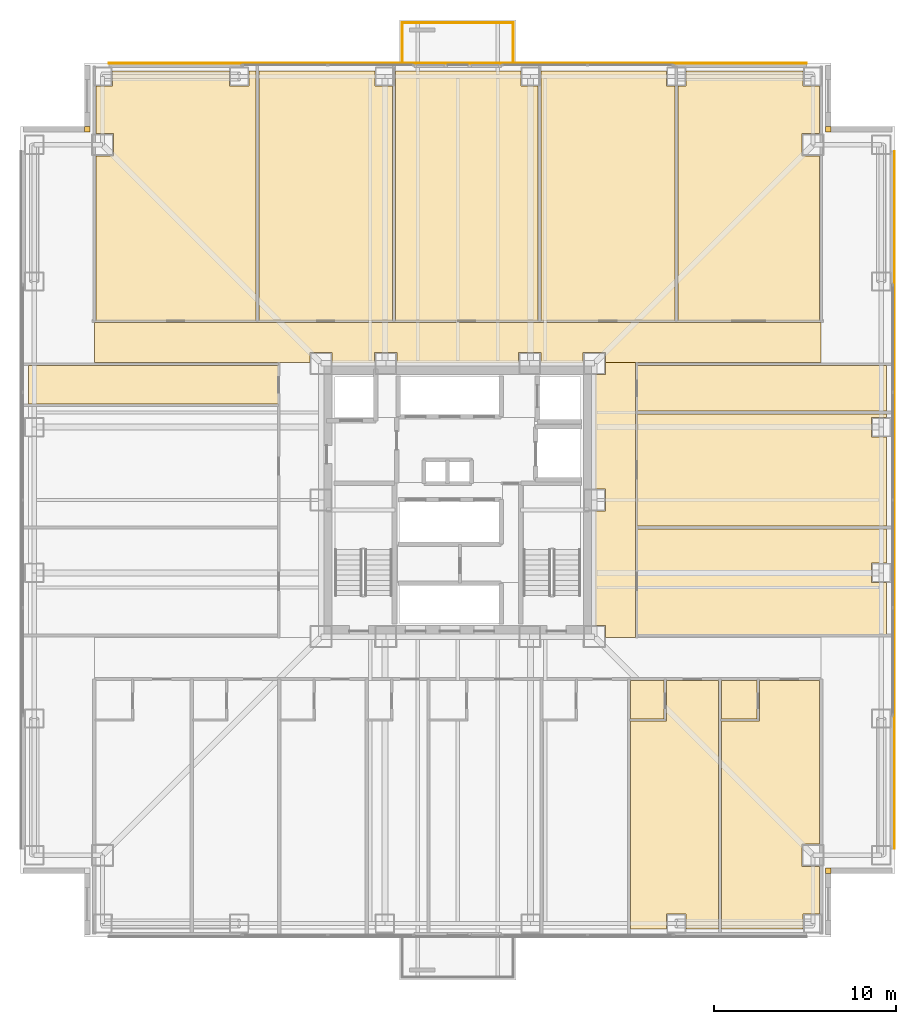
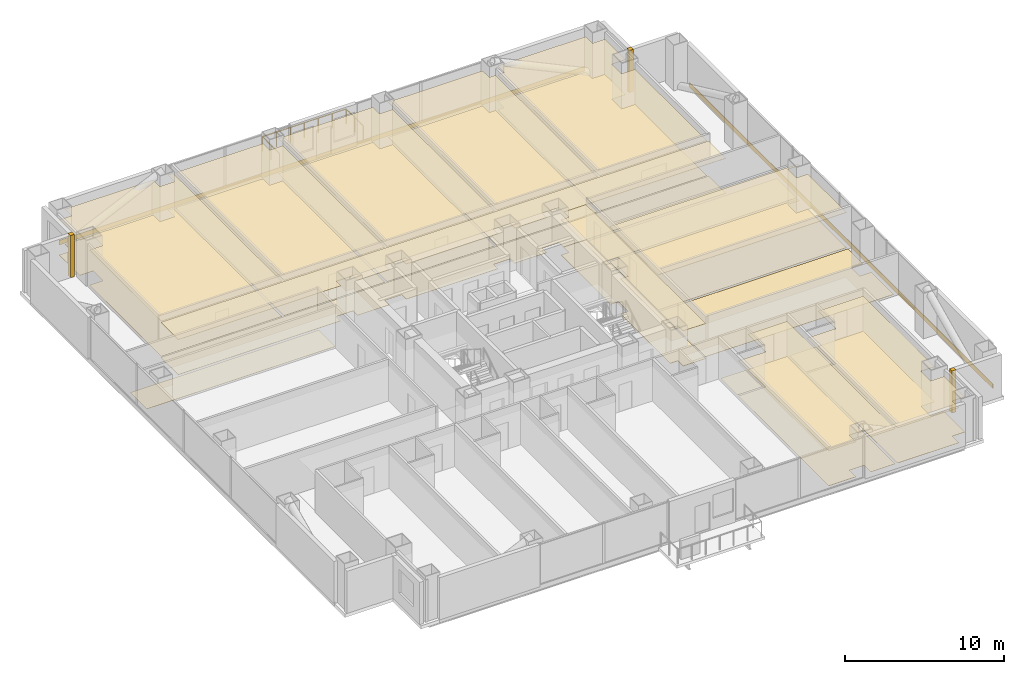
# One storey, part 16 of 16: 30 coverings, 3 railings.
"""IFC4 building model written with IfcOpenShell, lengths in metres."""

from ifc_helpers import new_model, si_unit, direction, frame, frame_2d, origin, origin_2d, place, context, subcontext, project, spatial, polyline, rectangle, circle, outline, extrude, material, layer, layer_set, type_object, element, save


model = new_model("IFC4")

# Units and contexts
model_context = context("Model", 3, precision=1e-05, world=origin(), true_north=direction((0.0, 1.0)))
body_context = subcontext(model_context, "Body", "Model", "MODEL_VIEW")
ifc_project = project(units=[si_unit("LENGTHUNIT", "METRE"), si_unit("AREAUNIT", "SQUARE_METRE"), si_unit("VOLUMEUNIT", "CUBIC_METRE"), si_unit("PLANEANGLEUNIT", "RADIAN"), si_unit("MASSUNIT", "GRAM", prefix="KILO")], contexts=[model_context])

# Site, building, storey
site_placement = place(None, origin())
site = spatial("IfcSite", under=ifc_project, at=site_placement, CompositionType="ELEMENT")
building_placement = place(site_placement, origin())
building = spatial("IfcBuilding", under=site, at=building_placement, Name="Trevonay Congress Spire", CompositionType="ELEMENT")
storey_placement = place(building_placement, frame((0.0, 0.0, 65.5)))
storey = spatial("IfcBuildingStorey", under=building, at=storey_placement, Name="L16", CompositionType="ELEMENT", Elevation=65.5)

# Coverings
ifc_material_1 = material(Name="Acoustic Mineral Fibre Board", Category="gypsum")
ifc_layer_1 = layer(ifc_material_1, 0.02490234375, Name="Acoustic Mineral Fibre Board")
ifc_layer_set_1 = layer_set([ifc_layer_1], Name="Acoustic Mineral Fibre Board")
covering_type_1 = type_object("IfcCoveringType", Name="COV-CEIL-ACOUSTIC", PredefinedType="CEILING", material=ifc_layer_set_1)
covering_1_placement = place(storey_placement, frame((0.0, 0.0, 2.699951171875)))
element("IfcCovering", 1, at=covering_1_placement, inside=storey, type_object=covering_type_1, Name="L16 Hotel Floor Corridor North acoustic suspended ceiling", PredefinedType="CEILING", context=body_context, shape_type="SweptSolid", body=[
    extrude(outline(polyline([(-19.949951171875, 7.550048828125), (-19.949951171875, 9.75), (19.949951171875, 9.75), (19.949951171875, 7.550048828125), (8.110107421875, 7.550048828125), (8.110107421875, 8.110107421875), (6.889892578125, 8.110107421875), (6.889892578125, 7.550048828125), (4.56005859375, 7.550048828125), (4.56005859375, 8.110107421875), (3.340087890625, 8.110107421875), (3.340087890625, 7.550048828125), (-3.340087890625, 7.550048828125), (-3.340087890625, 8.110107421875), (-4.56005859375, 8.110107421875), (-4.56005859375, 7.550048828125), (-6.889892578125, 7.550048828125), (-6.889892578125, 8.110107421875), (-8.110107421875, 8.110107421875), (-8.110107421875, 7.550048828125), (-19.949951171875, 7.550048828125)])), origin(), (0.0, 0.0, 1.0), 0.025146484375),
])
covering_2_placement = place(storey_placement, frame((0.0, 0.0, 2.699951171875)))
element("IfcCovering", 2, at=covering_2_placement, inside=storey, type_object=covering_type_1, Name="L16 Hotel Floor Corridor East acoustic suspended ceiling", PredefinedType="CEILING", context=body_context, shape_type="SweptSolid", body=[
    extrude(outline(polyline([(9.75, -7.550048828125), (8.110107421875, -7.550048828125), (8.110107421875, -6.889892578125), (7.550048828125, -6.889892578125), (7.550048828125, -0.610107421875), (8.110107421875, -0.610107421875), (8.110107421875, 0.610107421875), (7.550048828125, 0.610107421875), (7.550048828125, 6.889892578125), (8.110107421875, 6.889892578125), (8.110107421875, 7.550048828125), (9.75, 7.550048828125), (9.75, -7.550048828125)])), origin(), (0.0, 0.0, 1.0), 0.025146484375),
])
covering_3_placement = place(storey_placement, frame((0.0, 0.0, 2.699951171875)))
element("IfcCovering", 3, at=covering_3_placement, inside=storey, type_object=covering_type_1, Name="L16 Corner Hotel Suite acoustic suspended ceiling", PredefinedType="CEILING", context=body_context, shape_type="SweptSolid", body=[
    extrude(outline(polyline([(9.47998046875, -23.550048828125), (9.47998046875, -12.139892578125), (11.458984375, -12.139892578125), (11.458984375, -9.909912109375), (14.320068359375, -9.909912109375), (14.320068359375, -23.550048828125), (12.534912109375, -23.550048828125), (12.534912109375, -22.715087890625), (11.465087890625, -22.715087890625), (11.465087890625, -23.550048828125), (9.47998046875, -23.550048828125)])), origin(), (0.0, 0.0, 1.0), 0.025146484375),
])
covering_4_placement = place(storey_placement, frame((0.0, 0.0, 2.699951171875)))
element("IfcCovering", 4, at=covering_4_placement, inside=storey, type_object=covering_type_1, Name="L16 Hotel Guest Room acoustic suspended ceiling", PredefinedType="CEILING", context=body_context, shape_type="SweptSolid", body=[
    extrude(outline(polyline([(14.47998046875, -23.550048828125), (14.47998046875, -12.139892578125), (16.570068359375, -12.139892578125), (16.570068359375, -9.909912109375), (19.8701171875, -9.909912109375), (19.8701171875, -18.889892578125), (18.889892578125, -18.889892578125), (18.889892578125, -20.110107421875), (19.8701171875, -20.110107421875), (19.8701171875, -22.715087890625), (18.965087890625, -22.715087890625), (18.965087890625, -23.550048828125), (14.47998046875, -23.550048828125)])), origin(), (0.0, 0.0, 1.0), 0.025146484375),
])
covering_5_placement = place(storey_placement, frame((0.0, 0.0, 2.699951171875)))
element("IfcCovering", 5, at=covering_5_placement, inside=storey, type_object=covering_type_1, Name="L16 Executive Club Co-Working Office 1 acoustic suspended ceiling", PredefinedType="CEILING", context=body_context, shape_type="SweptSolid", body=[
    extrude(outline(polyline([(-11.080078125, 23.550048828125), (-11.080078125, 9.830078125), (-19.8701171875, 9.830078125), (-19.8701171875, 18.889892578125), (-18.889892578125, 18.889892578125), (-18.889892578125, 20.110107421875), (-19.8701171875, 20.110107421875), (-19.8701171875, 22.715087890625), (-18.965087890625, 22.715087890625), (-18.965087890625, 23.550048828125), (-12.534912109375, 23.550048828125), (-12.534912109375, 22.715087890625), (-11.465087890625, 22.715087890625), (-11.465087890625, 23.550048828125), (-11.080078125, 23.550048828125)])), origin(), (0.0, 0.0, 1.0), 0.025146484375),
])
covering_6_placement = place(storey_placement, frame((0.0, 0.0, 2.699951171875)))
element("IfcCovering", 6, at=covering_6_placement, inside=storey, type_object=covering_type_1, Name="L16 Visiting Delegation Office 2 acoustic suspended ceiling", PredefinedType="CEILING", context=body_context, shape_type="SweptSolid", body=[
    extrude(outline(polyline([(-3.580078125, 9.830078125), (-10.919921875, 9.830078125), (-10.919921875, 23.550048828125), (-4.534912109375, 23.550048828125), (-4.534912109375, 22.715087890625), (-3.580078125, 22.715087890625), (-3.580078125, 9.830078125)])), origin(), (0.0, 0.0, 1.0), 0.025146484375),
])
covering_7_placement = place(storey_placement, frame((0.0, 0.0, 2.699951171875)))
element("IfcCovering", 7, at=covering_7_placement, inside=storey, type_object=covering_type_1, Name="L16 Diplomatic Secretariat Office 3 acoustic suspended ceiling", PredefinedType="CEILING", context=body_context, shape_type="SweptSolid", body=[
    extrude(outline(polyline([(4.419921875, 9.830078125), (-3.419921875, 9.830078125), (-3.419921875, 23.550048828125), (3.465087890625, 23.550048828125), (3.465087890625, 22.715087890625), (4.419921875, 22.715087890625), (4.419921875, 9.830078125)])), origin(), (0.0, 0.0, 1.0), 0.025146484375),
])
covering_8_placement = place(storey_placement, frame((0.0, 0.0, 2.699951171875)))
element("IfcCovering", 8, at=covering_8_placement, inside=storey, type_object=covering_type_1, Name="L16 Executive Boardroom North acoustic suspended ceiling", PredefinedType="CEILING", context=body_context, shape_type="SweptSolid", body=[
    extrude(outline(polyline([(11.919921875, 9.830078125), (4.580078125, 9.830078125), (4.580078125, 23.550048828125), (11.465087890625, 23.550048828125), (11.465087890625, 22.715087890625), (11.919921875, 22.715087890625), (11.919921875, 9.830078125)])), origin(), (0.0, 0.0, 1.0), 0.025146484375),
])
covering_9_placement = place(storey_placement, frame((0.0, 0.0, 2.699951171875)))
element("IfcCovering", 9, at=covering_9_placement, inside=storey, type_object=covering_type_1, Name="L16 Club Reading Library Lounge acoustic suspended ceiling", PredefinedType="CEILING", context=body_context, shape_type="SweptSolid", body=[
    extrude(outline(polyline([(19.8701171875, 9.830078125), (12.080078125, 9.830078125), (12.080078125, 22.715087890625), (12.534912109375, 22.715087890625), (12.534912109375, 23.550048828125), (18.965087890625, 23.550048828125), (18.965087890625, 22.715087890625), (19.8701171875, 22.715087890625), (19.8701171875, 20.110107421875), (18.889892578125, 20.110107421875), (18.889892578125, 18.889892578125), (19.8701171875, 18.889892578125), (19.8701171875, 9.830078125)])), origin(), (0.0, 0.0, 1.0), 0.025146484375),
])
covering_10_placement = place(storey_placement, frame((0.0, 0.0, 2.699951171875)))
element("IfcCovering", 10, at=covering_10_placement, inside=storey, type_object=covering_type_1, Name="L16 Club Pantry Kitchen acoustic suspended ceiling", PredefinedType="CEILING", context=body_context, shape_type="SweptSolid", body=[
    extrude(outline(polyline([(23.550048828125, -1.419921875), (9.830078125, -1.419921875), (9.830078125, 4.719970703125), (23.550048828125, 4.719970703125), (23.550048828125, 4.534912109375), (22.715087890625, 4.534912109375), (22.715087890625, 3.465087890625), (23.550048828125, 3.465087890625), (23.550048828125, -1.419921875)])), origin(), (0.0, 0.0, 1.0), 0.025146484375),
])
ifc_material_2 = material(Name="Polished Granite Floor Tile", Category="masonry")
ifc_layer_2 = layer(ifc_material_2, 0.02001953125, Name="Polished Granite Floor Tile")
ifc_layer_set_2 = layer_set([ifc_layer_2], Name="Polished Granite Floor Tile")
covering_type_2 = type_object("IfcCoveringType", Name="COV-FLOOR-STONE", PredefinedType="FLOORING", material=ifc_layer_set_2)
covering_11_placement = place(storey_placement, origin())
element("IfcCovering", 11, at=covering_11_placement, inside=storey, type_object=covering_type_2, Name="L16 Hotel Floor Corridor North floor finish", PredefinedType="FLOORING", context=body_context, shape_type="SweptSolid", body=[
    extrude(outline(polyline([(-19.949951171875, 7.550048828125), (-19.949951171875, 9.75), (19.949951171875, 9.75), (19.949951171875, 7.550048828125), (8.110107421875, 7.550048828125), (8.110107421875, 8.110107421875), (6.889892578125, 8.110107421875), (6.889892578125, 7.550048828125), (4.56005859375, 7.550048828125), (4.56005859375, 8.110107421875), (3.340087890625, 8.110107421875), (3.340087890625, 7.550048828125), (-3.340087890625, 7.550048828125), (-3.340087890625, 8.110107421875), (-4.56005859375, 8.110107421875), (-4.56005859375, 7.550048828125), (-6.889892578125, 7.550048828125), (-6.889892578125, 8.110107421875), (-8.110107421875, 8.110107421875), (-8.110107421875, 7.550048828125), (-19.949951171875, 7.550048828125)])), origin(), (0.0, 0.0, 1.0), 0.02001953125),
])
covering_12_placement = place(storey_placement, origin())
element("IfcCovering", 12, at=covering_12_placement, inside=storey, type_object=covering_type_2, Name="L16 Hotel Floor Corridor East floor finish", PredefinedType="FLOORING", context=body_context, shape_type="SweptSolid", body=[
    extrude(outline(polyline([(9.75, -7.550048828125), (8.110107421875, -7.550048828125), (8.110107421875, -6.889892578125), (7.550048828125, -6.889892578125), (7.550048828125, -0.610107421875), (8.110107421875, -0.610107421875), (8.110107421875, 0.610107421875), (7.550048828125, 0.610107421875), (7.550048828125, 6.889892578125), (8.110107421875, 6.889892578125), (8.110107421875, 7.550048828125), (9.75, 7.550048828125), (9.75, -7.550048828125)])), origin(), (0.0, 0.0, 1.0), 0.02001953125),
])
covering_13_placement = place(storey_placement, origin())
element("IfcCovering", 13, at=covering_13_placement, inside=storey, type_object=covering_type_2, Name="L16 En-suite Bathroom floor finish", PredefinedType="FLOORING", context=body_context, shape_type="SweptSolid", body=[
    extrude(outline(polyline([(9.47998046875, -12.02001953125), (11.319091796875, -12.02001953125), (11.319091796875, -9.909912109375), (9.47998046875, -9.909912109375), (9.47998046875, -12.02001953125)])), origin(), (0.0, 0.0, 1.0), 0.02001953125),
])
covering_14_placement = place(storey_placement, origin())
element("IfcCovering", 14, at=covering_14_placement, inside=storey, type_object=covering_type_2, Name="L16 En-suite Bathroom floor finish", PredefinedType="FLOORING", context=body_context, shape_type="SweptSolid", body=[
    extrude(outline(polyline([(14.47998046875, -12.02001953125), (16.429931640625, -12.02001953125), (16.429931640625, -9.909912109375), (14.47998046875, -9.909912109375), (14.47998046875, -12.02001953125)])), origin(), (0.0, 0.0, 1.0), 0.02001953125),
])
covering_15_placement = place(storey_placement, origin())
element("IfcCovering", 15, at=covering_15_placement, inside=storey, type_object=covering_type_2, Name="L16 Accessible WC floor finish", PredefinedType="FLOORING", context=body_context, shape_type="SweptSolid", body=[
    extrude(outline(polyline([(-23.550048828125, 5.280029296875), (-9.830078125, 5.280029296875), (-9.830078125, 7.3701171875), (-23.550048828125, 7.3701171875), (-23.550048828125, 5.280029296875)])), origin(), (0.0, 0.0, 1.0), 0.02001953125),
])
covering_16_placement = place(storey_placement, origin())
element("IfcCovering", 16, at=covering_16_placement, inside=storey, type_object=covering_type_2, Name="L16 Housekeeping and Linen Room floor finish", PredefinedType="FLOORING", context=body_context, shape_type="SweptSolid", body=[
    extrude(outline(polyline([(23.550048828125, -7.3701171875), (9.830078125, -7.3701171875), (9.830078125, -1.580078125), (23.550048828125, -1.580078125), (23.550048828125, -3.465087890625), (22.715087890625, -3.465087890625), (22.715087890625, -4.534912109375), (23.550048828125, -4.534912109375), (23.550048828125, -7.3701171875)])), origin(), (0.0, 0.0, 1.0), 0.02001953125),
])
covering_17_placement = place(storey_placement, origin())
element("IfcCovering", 17, at=covering_17_placement, inside=storey, type_object=covering_type_2, Name="L16 Club Pantry Kitchen floor finish", PredefinedType="FLOORING", context=body_context, shape_type="SweptSolid", body=[
    extrude(outline(polyline([(23.550048828125, -1.419921875), (9.830078125, -1.419921875), (9.830078125, 4.719970703125), (23.550048828125, 4.719970703125), (23.550048828125, 4.534912109375), (22.715087890625, 4.534912109375), (22.715087890625, 3.465087890625), (23.550048828125, 3.465087890625), (23.550048828125, -1.419921875)])), origin(), (0.0, 0.0, 1.0), 0.02001953125),
])
covering_18_placement = place(storey_placement, origin())
element("IfcCovering", 18, at=covering_18_placement, inside=storey, type_object=covering_type_2, Name="L16 Female Restroom WC floor finish", PredefinedType="FLOORING", context=body_context, shape_type="SweptSolid", body=[
    extrude(outline(polyline([(9.830078125, 4.8798828125), (23.550048828125, 4.8798828125), (23.550048828125, 7.3701171875), (9.830078125, 7.3701171875), (9.830078125, 4.8798828125)])), origin(), (0.0, 0.0, 1.0), 0.02001953125),
])
ifc_material_3 = material(Name="Engineered Oak Flooring", Category="wood")
ifc_layer_3 = layer(ifc_material_3, 0.01806640625, Name="Engineered Oak Flooring")
ifc_layer_set_3 = layer_set([ifc_layer_3], Name="Engineered Oak Flooring")
covering_type_3 = type_object("IfcCoveringType", Name="COV-FLOOR-TIMBER", PredefinedType="FLOORING", material=ifc_layer_set_3)
covering_19_placement = place(storey_placement, origin())
element("IfcCovering", 19, at=covering_19_placement, inside=storey, type_object=covering_type_3, Name="L16 Corner Hotel Suite floor finish", PredefinedType="FLOORING", context=body_context, shape_type="SweptSolid", body=[
    extrude(outline(polyline([(9.47998046875, -23.550048828125), (9.47998046875, -12.139892578125), (11.458984375, -12.139892578125), (11.458984375, -9.909912109375), (14.320068359375, -9.909912109375), (14.320068359375, -23.550048828125), (12.534912109375, -23.550048828125), (12.534912109375, -22.715087890625), (11.465087890625, -22.715087890625), (11.465087890625, -23.550048828125), (9.47998046875, -23.550048828125)])), origin(), (0.0, 0.0, 1.0), 0.01806640625),
])
covering_20_placement = place(storey_placement, origin())
element("IfcCovering", 20, at=covering_20_placement, inside=storey, type_object=covering_type_3, Name="L16 Hotel Guest Room floor finish", PredefinedType="FLOORING", context=body_context, shape_type="SweptSolid", body=[
    extrude(outline(polyline([(14.47998046875, -23.550048828125), (14.47998046875, -12.139892578125), (16.570068359375, -12.139892578125), (16.570068359375, -9.909912109375), (19.8701171875, -9.909912109375), (19.8701171875, -18.889892578125), (18.889892578125, -18.889892578125), (18.889892578125, -20.110107421875), (19.8701171875, -20.110107421875), (19.8701171875, -22.715087890625), (18.965087890625, -22.715087890625), (18.965087890625, -23.550048828125), (14.47998046875, -23.550048828125)])), origin(), (0.0, 0.0, 1.0), 0.01806640625),
])
covering_21_placement = place(storey_placement, origin())
element("IfcCovering", 21, at=covering_21_placement, inside=storey, type_object=covering_type_3, Name="L16 Executive Club Co-Working Office 1 floor finish", PredefinedType="FLOORING", context=body_context, shape_type="SweptSolid", body=[
    extrude(outline(polyline([(-11.080078125, 23.550048828125), (-11.080078125, 9.830078125), (-19.8701171875, 9.830078125), (-19.8701171875, 18.889892578125), (-18.889892578125, 18.889892578125), (-18.889892578125, 20.110107421875), (-19.8701171875, 20.110107421875), (-19.8701171875, 22.715087890625), (-18.965087890625, 22.715087890625), (-18.965087890625, 23.550048828125), (-12.534912109375, 23.550048828125), (-12.534912109375, 22.715087890625), (-11.465087890625, 22.715087890625), (-11.465087890625, 23.550048828125), (-11.080078125, 23.550048828125)])), origin(), (0.0, 0.0, 1.0), 0.01806640625),
])
covering_22_placement = place(storey_placement, origin())
element("IfcCovering", 22, at=covering_22_placement, inside=storey, type_object=covering_type_3, Name="L16 Visiting Delegation Office 2 floor finish", PredefinedType="FLOORING", context=body_context, shape_type="SweptSolid", body=[
    extrude(outline(polyline([(-3.580078125, 9.830078125), (-10.919921875, 9.830078125), (-10.919921875, 23.550048828125), (-4.534912109375, 23.550048828125), (-4.534912109375, 22.715087890625), (-3.580078125, 22.715087890625), (-3.580078125, 9.830078125)])), origin(), (0.0, 0.0, 1.0), 0.01806640625),
])
covering_23_placement = place(storey_placement, origin())
element("IfcCovering", 23, at=covering_23_placement, inside=storey, type_object=covering_type_3, Name="L16 Diplomatic Secretariat Office 3 floor finish", PredefinedType="FLOORING", context=body_context, shape_type="SweptSolid", body=[
    extrude(outline(polyline([(4.419921875, 9.830078125), (-3.419921875, 9.830078125), (-3.419921875, 23.550048828125), (3.465087890625, 23.550048828125), (3.465087890625, 22.715087890625), (4.419921875, 22.715087890625), (4.419921875, 9.830078125)])), origin(), (0.0, 0.0, 1.0), 0.01806640625),
])
covering_24_placement = place(storey_placement, origin())
element("IfcCovering", 24, at=covering_24_placement, inside=storey, type_object=covering_type_3, Name="L16 Executive Boardroom North floor finish", PredefinedType="FLOORING", context=body_context, shape_type="SweptSolid", body=[
    extrude(outline(polyline([(11.919921875, 9.830078125), (4.580078125, 9.830078125), (4.580078125, 23.550048828125), (11.465087890625, 23.550048828125), (11.465087890625, 22.715087890625), (11.919921875, 22.715087890625), (11.919921875, 9.830078125)])), origin(), (0.0, 0.0, 1.0), 0.01806640625),
])
covering_25_placement = place(storey_placement, origin())
element("IfcCovering", 25, at=covering_25_placement, inside=storey, type_object=covering_type_3, Name="L16 Club Reading Library Lounge floor finish", PredefinedType="FLOORING", context=body_context, shape_type="SweptSolid", body=[
    extrude(outline(polyline([(19.8701171875, 9.830078125), (12.080078125, 9.830078125), (12.080078125, 22.715087890625), (12.534912109375, 22.715087890625), (12.534912109375, 23.550048828125), (18.965087890625, 23.550048828125), (18.965087890625, 22.715087890625), (19.8701171875, 22.715087890625), (19.8701171875, 20.110107421875), (18.889892578125, 20.110107421875), (18.889892578125, 18.889892578125), (19.8701171875, 18.889892578125), (19.8701171875, 9.830078125)])), origin(), (0.0, 0.0, 1.0), 0.01806640625),
])
ifc_material_4 = material(Name="Pale Anodised Aluminium EN AW-6063-T6", Category="aluminium")
ifc_layer_4 = layer(ifc_material_4, 0.0400390625, Name="Pale Anodised Aluminium EN AW-6063-T6")
ifc_layer_set_4 = layer_set([ifc_layer_4], Name="Pale Anodised Aluminium EN AW-6063-T6")
covering_type_4 = type_object("IfcCoveringType", Name="COV-SPANDREL-PALE-METAL", PredefinedType="CLADDING", material=ifc_layer_set_4)
for number, where, z_axis, x_axis, name in (
    (26, (-19.14990234375, 23.97998046875, -0.239990234375), (0.0, 0.0, 1.0), (1.0, 0.0, 0.0), "L16 N pale-metal slab-edge spandrel cladding"),
    (27, (23.97998046875, -19.14990234375, -0.239990234375), (0.0, 0.0, 1.0), (0.0, 1.0, 0.0), "L16 E pale-metal slab-edge spandrel cladding"),
):
    element("IfcCovering", number, at=place(storey_placement, frame(where, z_axis=z_axis, x_axis=x_axis)), inside=storey, type_object=covering_type_4, Name=name, PredefinedType="CLADDING", context=body_context, shape_type="SweptSolid", body=[
        extrude(rectangle(XDim=38.2998046875, YDim=0.0400390625, at=frame_2d((19.14990234375, 0.0))), origin(), (0.0, 0.0, 1.0), 0.360107421875),
    ])
covering_26_placement = place(storey_placement, origin())
element("IfcCovering", 28, at=covering_26_placement, inside=storey, type_object=covering_type_4, Name="L16 SE re-entrant notch corner closure trim", PredefinedType="CLADDING", context=body_context, shape_type="SweptSolid", body=[
    extrude(outline(polyline([(20.199951171875, -20.5), (20.5, -20.5), (20.5, -20.199951171875), (20.199951171875, -20.199951171875), (20.199951171875, -20.5)])), origin(), (0.0, 0.0, 1.0), 3.25),
])
covering_27_placement = place(storey_placement, origin())
element("IfcCovering", 29, at=covering_27_placement, inside=storey, type_object=covering_type_4, Name="L16 NE re-entrant notch corner closure trim", PredefinedType="CLADDING", context=body_context, shape_type="SweptSolid", body=[
    extrude(outline(polyline([(20.199951171875, 20.199951171875), (20.5, 20.199951171875), (20.5, 20.5), (20.199951171875, 20.5), (20.199951171875, 20.199951171875)])), origin(), (0.0, 0.0, 1.0), 3.25),
])
covering_28_placement = place(storey_placement, origin())
element("IfcCovering", 30, at=covering_28_placement, inside=storey, type_object=covering_type_4, Name="L16 NW re-entrant notch corner closure trim", PredefinedType="CLADDING", context=body_context, shape_type="SweptSolid", body=[
    extrude(outline(polyline([(-20.5, 20.199951171875), (-20.199951171875, 20.199951171875), (-20.199951171875, 20.5), (-20.5, 20.5), (-20.5, 20.199951171875)])), origin(), (0.0, 0.0, 1.0), 3.25),
])

# Railings
railing_type = type_object("IfcRailingType", Name="RAL-EXT-GUARD-115", PredefinedType="GUARDRAIL", material=ifc_material_4)
railing_1_placement = place(storey_placement, frame((-3.050048828125, 24.050048828125, 0.0)))
element("IfcRailing", 31, at=railing_1_placement, inside=storey, type_object=railing_type, Name="L16 perimeter safety guard GRD-L16-TBAL-N-1", PredefinedType="GUARDRAIL", context=body_context, shape_type="SweptSolid", body=[
    extrude(circle(Radius=0.02392578125, at=origin_2d()), frame((0.0, 0.0, 1.1259765625), z_axis=(0.0, 1.0, 0.0), x_axis=(-1.0, 0.0, 0.0)), (0.0, 0.0, 1.0), 2.14990234375),
    extrude(circle(Radius=0.02099609375, at=origin_2d()), origin(), (0.0, 0.0, 1.0), 1.101806640625),
    extrude(circle(Radius=0.02099609375, at=origin_2d()), frame((0.0, 1.074951171875, 0.0)), (0.0, 0.0, 1.0), 1.101806640625),
    extrude(circle(Radius=0.02099609375, at=origin_2d()), frame((0.0, 2.14990234375, 0.0)), (0.0, 0.0, 1.0), 1.101806640625),
])
railing_2_placement = place(storey_placement, frame((-3.050048828125, 26.199951171875, 0.0)))
element("IfcRailing", 32, at=railing_2_placement, inside=storey, type_object=railing_type, Name="L16 perimeter safety guard GRD-L16-TBAL-N-2", PredefinedType="GUARDRAIL", context=body_context, shape_type="SweptSolid", body=[
    extrude(circle(Radius=0.02392578125, at=origin_2d()), frame((0.0, 0.0, 1.1259765625), z_axis=(1.0, 0.0, 0.0), x_axis=(0.0, 1.0, 0.0)), (0.0, 0.0, 1.0), 6.10009765625),
    extrude(circle(Radius=0.02099609375, at=origin_2d()), origin(), (0.0, 0.0, 1.0), 1.101806640625),
    extrude(circle(Radius=0.02099609375, at=origin_2d()), frame((1.0166015625, 0.0, 0.0)), (0.0, 0.0, 1.0), 1.101806640625),
    extrude(circle(Radius=0.02099609375, at=origin_2d()), frame((2.033447265625, 0.0, 0.0)), (0.0, 0.0, 1.0), 1.101806640625),
    extrude(circle(Radius=0.02099609375, at=origin_2d()), frame((3.050048828125, 0.0, 0.0)), (0.0, 0.0, 1.0), 1.101806640625),
    extrude(circle(Radius=0.02099609375, at=origin_2d()), frame((4.066650390625, 0.0, 0.0)), (0.0, 0.0, 1.0), 1.101806640625),
    extrude(circle(Radius=0.02099609375, at=origin_2d()), frame((5.08349609375, 0.0, 0.0)), (0.0, 0.0, 1.0), 1.101806640625),
    extrude(circle(Radius=0.02099609375, at=origin_2d()), frame((6.10009765625, 0.0, 0.0)), (0.0, 0.0, 1.0), 1.101806640625),
])
railing_3_placement = place(storey_placement, frame((3.050048828125, 26.199951171875, 0.0)))
element("IfcRailing", 33, at=railing_3_placement, inside=storey, type_object=railing_type, Name="L16 perimeter safety guard GRD-L16-TBAL-N-3", PredefinedType="GUARDRAIL", context=body_context, shape_type="SweptSolid", body=[
    extrude(circle(Radius=0.02392578125, at=origin_2d()), frame((0.0, 0.0, 1.1259765625), z_axis=(0.0, -1.0, 0.0), x_axis=(1.0, 0.0, 0.0)), (0.0, 0.0, 1.0), 2.14990234375),
    extrude(circle(Radius=0.02099609375, at=origin_2d()), origin(), (0.0, 0.0, 1.0), 1.101806640625),
    extrude(circle(Radius=0.02099609375, at=origin_2d()), frame((0.0, -1.074951171875, 0.0)), (0.0, 0.0, 1.0), 1.101806640625),
    extrude(circle(Radius=0.02099609375, at=origin_2d()), frame((0.0, -2.14990234375, 0.0)), (0.0, 0.0, 1.0), 1.101806640625),
])

save(model, "model.ifc")
